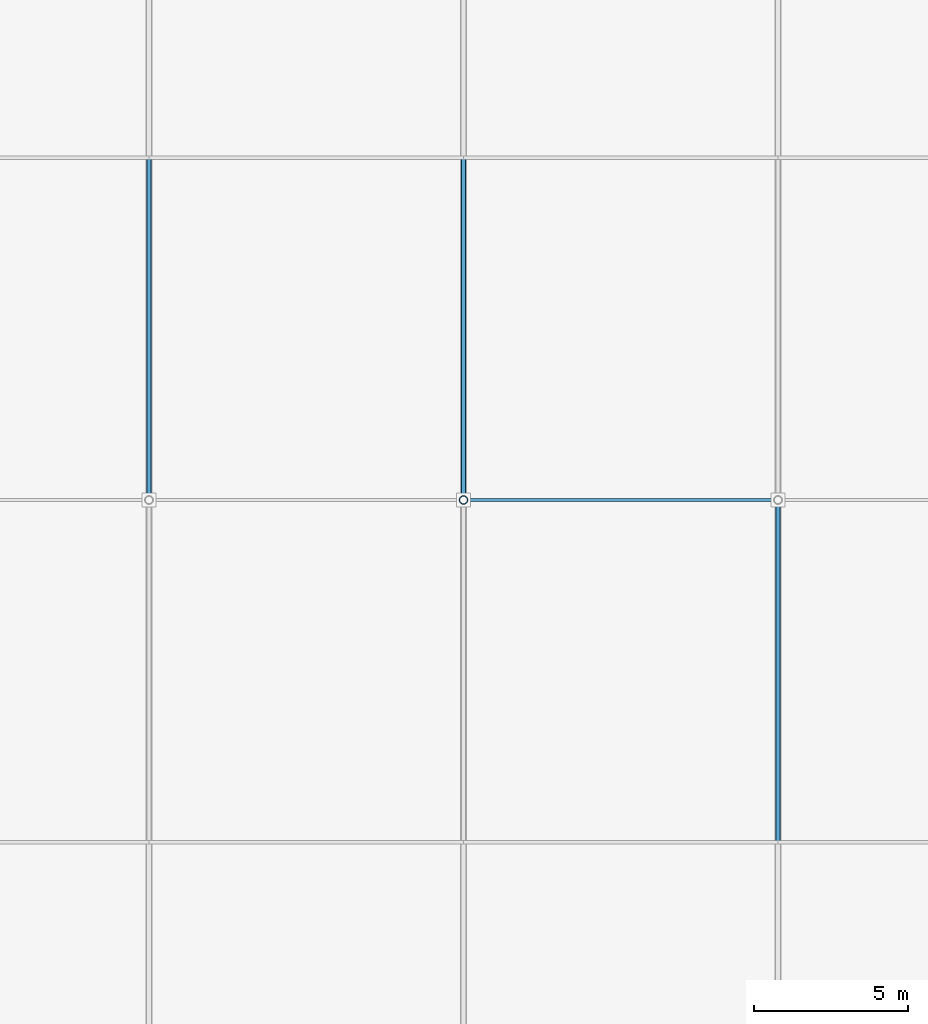
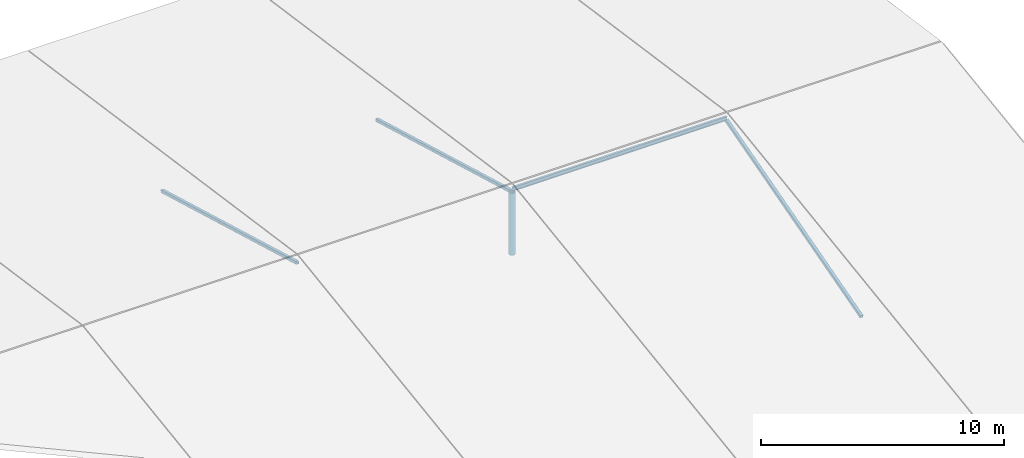
# One storey, part 87 of 135: 5 members.
"""IFC4 building model written with IfcOpenShell, lengths in metres."""

from ifc_helpers import new_model, si_unit, direction, frame, origin, origin_2d, place, context, subcontext, project, spatial, hollow_rectangle, hollow_circle, i_section, extrude, material, material_profile, profile_set, type_object, element, save


model = new_model("IFC4")

# Units and contexts
model_context = context("Model", 3, precision=1e-05, world=origin(), true_north=direction((0.0, 1.0)))
body_context = subcontext(model_context, "Body", "Model", "MODEL_VIEW")
ifc_project = project(units=[si_unit("LENGTHUNIT", "METRE"), si_unit("AREAUNIT", "SQUARE_METRE"), si_unit("VOLUMEUNIT", "CUBIC_METRE"), si_unit("PLANEANGLEUNIT", "RADIAN"), si_unit("MASSUNIT", "GRAM", prefix="KILO")], contexts=[model_context])

# Site, building, storey
site_placement = place(None, origin())
site = spatial("IfcSite", under=ifc_project, at=site_placement, CompositionType="ELEMENT")
building_placement = place(site_placement, origin())
building = spatial("IfcBuilding", under=site, at=building_placement, Name="Brelvane Convention Centre", CompositionType="ELEMENT")
storey_placement = place(building_placement, frame((0.0, 0.0, 15.0)))
storey = spatial("IfcBuildingStorey", under=building, at=storey_placement, Name="L03", CompositionType="ELEMENT", Elevation=15.0)

# Members
ifc_material_1 = material(Name="Steel E350 (350 MPa)", Category="steel")
ifc_material_profile_1 = material_profile(ifc_material_1, hollow_rectangle(XDim=0.14990234375, YDim=0.14990234375, WallThickness=0.008056640625, InnerFilletRadius=0.008056640625, OuterFilletRadius=0.01611328125, at=origin_2d()), Name="SHS 150x150x8.0")
ifc_profile_set_1 = profile_set([ifc_material_profile_1], Name="Steel E350 (350 MPa)")
member_type_1 = type_object("IfcMemberType", Name="Steel Brace TR-WB1 (SHS 150x150x8.0)", PredefinedType="BRACE", material=ifc_profile_set_1)
for number, where, z_axis, x_axis, name in (
    (1, (193.800048828125, 132.89990234375, -0.35009765625), (0.0, -0.962463289152, 0.271411895529), (1.0, 0.0, 0.0), "Ballroom Roof Truss Web 3-N"),
    (2, (204.0, 132.89990234375, -0.35009765625), (0.0, -0.962463289152, 0.271411895529), (1.0, 0.0, 0.0), "Ballroom Roof Truss Web 4-N"),
):
    element("IfcMember", number, at=place(storey_placement, frame(where, z_axis=z_axis, x_axis=x_axis)), inside=storey, type_object=member_type_1, Name=name, PredefinedType="BRACE", context=body_context, shape_type="SweptSolid", body=[
        extrude(hollow_rectangle(XDim=0.14990234375, YDim=0.14990234375, WallThickness=0.008056640625, InnerFilletRadius=0.008056640625, OuterFilletRadius=0.01611328125, at=origin_2d()), origin(), (0.0, 0.0, 1.0), 11.53271484375),
    ])
member_1_placement = place(storey_placement, frame((214.199951171875, 110.699951171875, -0.35009765625), z_axis=(0.0, 0.96246484853, 0.271406365702), x_axis=(-1.0, 0.0, 0.0)))
element("IfcMember", 3, at=member_1_placement, inside=storey, type_object=member_type_1, Name="Ballroom Roof Truss Web 5-S", PredefinedType="BRACE", context=body_context, shape_type="SweptSolid", body=[
    extrude(hollow_rectangle(XDim=0.14990234375, YDim=0.14990234375, WallThickness=0.008056640625, InnerFilletRadius=0.008056640625, OuterFilletRadius=0.01611328125, at=origin_2d()), origin(), (0.0, 0.0, 1.0), 11.532958984375),
])
ifc_material_2 = material(Name="Steel E350 (350 MPa)", Category="steel")
ifc_material_profile_2 = material_profile(ifc_material_2, i_section(OverallWidth=0.10009765625, OverallDepth=0.199951171875, WebThickness=0.005615234375, FlangeThickness=0.0107421875, FilletRadius=0.010986328125, at=origin_2d()), Name="ISMB 200")
ifc_profile_set_2 = profile_set([ifc_material_profile_2], Name="Steel E350 (350 MPa)")
member_type_2 = type_object("IfcMemberType", Name="Steel Purlin PR-ST2 (ISMB 200)", PredefinedType="PURLIN", material=ifc_profile_set_2)
member_2_placement = place(storey_placement, frame((204.0, 121.800048828125, 2.89990234375), z_axis=(1.0, 0.0, 0.0), x_axis=(0.0, 1.0, 0.0)))
element("IfcMember", 4, at=member_2_placement, inside=storey, type_object=member_type_2, Name="Ballroom Roof Purlin B4-P3", PredefinedType="PURLIN", context=body_context, shape_type="SweptSolid", body=[
    extrude(i_section(OverallWidth=0.10009765625, OverallDepth=0.199951171875, WebThickness=0.005615234375, FlangeThickness=0.0107421875, FilletRadius=0.010986328125, at=origin_2d()), origin(), (0.0, 0.0, 1.0), 10.199951171875),
])
ifc_material_3 = material(Name="Steel E350 (350 MPa)", Category="steel")
ifc_material_profile_3 = material_profile(ifc_material_3, hollow_circle(Radius=0.136474609375, WallThickness=0.012451171875, at=origin_2d()), Name="CHS 273.0x12.5")
ifc_profile_set_3 = profile_set([ifc_material_profile_3], Name="Steel E350 (350 MPa)")
member_type_3 = type_object("IfcMemberType", Name="Steel Strut SF-VT1 (CHS 273.0x12.5)", PredefinedType="STRUT", material=ifc_profile_set_3)
member_3_placement = place(storey_placement, frame((204.0, 121.800048828125, -0.35009765625), z_axis=(0.0, 0.0, 1.0), x_axis=(1.0, 0.0, 0.0)))
element("IfcMember", 5, at=member_3_placement, inside=storey, type_object=member_type_3, Name="Ballroom Roof Truss Kingpost 4", PredefinedType="STRUT", context=body_context, shape_type="SweptSolid", body=[
    extrude(hollow_circle(Radius=0.136474609375, WallThickness=0.012451171875, at=origin_2d()), origin(), (0.0, 0.0, 1.0), 3.130126953125),
])

save(model, "model.ifc")
